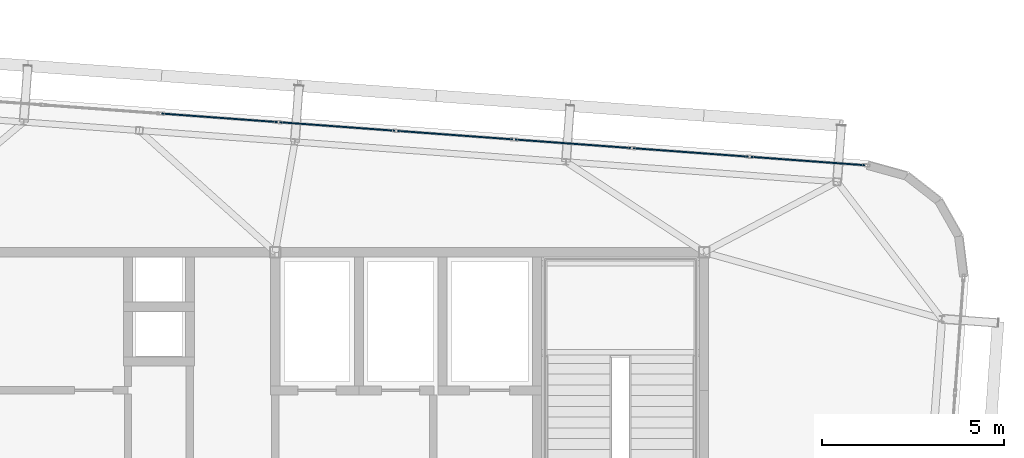
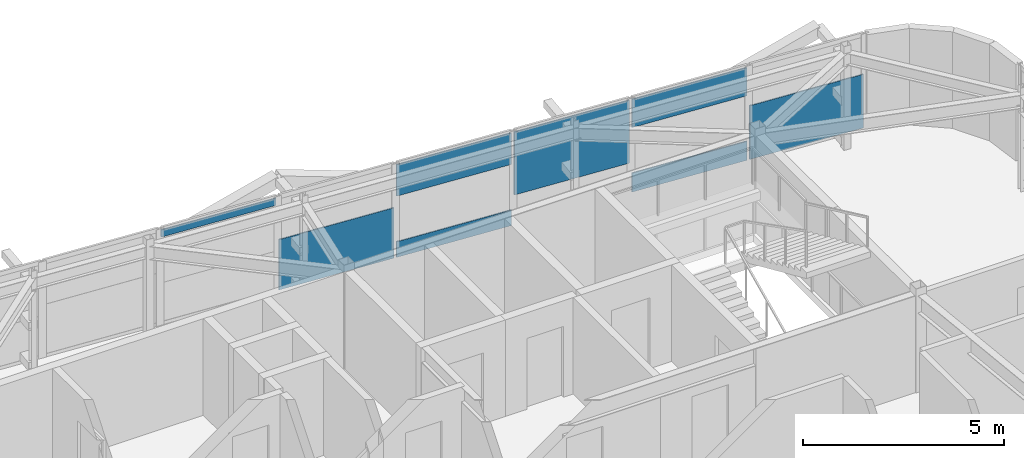
# One storey, part 30 of 42: 8 plates, 1 element without a shape of its own.
"""IFC4 building model written with IfcOpenShell, lengths in metres."""

from ifc_helpers import new_model, si_unit, direction, frame, origin, origin_2d, place, context, subcontext, project, spatial, rectangle, extrude, source, transform, mapped, material, layer, layer_set, type_object, element, aggregate, save


model = new_model("IFC4")

# Units and contexts
model_context = context("Model", 3, precision=1e-05, world=origin(), true_north=direction((0.0, 1.0)))
body_context = subcontext(model_context, "Body", "Model", "MODEL_VIEW")
ifc_project = project(units=[si_unit("LENGTHUNIT", "METRE"), si_unit("AREAUNIT", "SQUARE_METRE"), si_unit("VOLUMEUNIT", "CUBIC_METRE"), si_unit("PLANEANGLEUNIT", "RADIAN"), si_unit("MASSUNIT", "GRAM", prefix="KILO")], contexts=[model_context])

# Site, building, storey
site_placement = place(None, origin())
site = spatial("IfcSite", under=ifc_project, at=site_placement, CompositionType="ELEMENT")
building_placement = place(site_placement, origin())
building = spatial("IfcBuilding", under=site, at=building_placement, Name="Taldren Reach Tower", CompositionType="ELEMENT")
storey_placement = place(building_placement, frame((0.0, 0.0, 217.699951171875)))
storey = spatial("IfcBuildingStorey", under=building, at=storey_placement, Name="L66", CompositionType="ELEMENT", Elevation=217.699951171875)

# Curtain wall, plates
ifc_material_1 = material(Name="Aluminium and Low-E Glass Unitised System", Category="aluminium")
ifc_layer_1 = layer(ifc_material_1, 0.159912109375)
ifc_layer_set_1 = layer_set([ifc_layer_1], Name="Aluminium and Low-E Glass Unitised System")
curtain_wall_type = type_object("IfcCurtainWallType", Name="CW-SYS-6", PredefinedType="NOTDEFINED", material=ifc_layer_set_1)
curtain_wall_placement = place(storey_placement, origin())
curtain_wall = element("IfcCurtainWall", 1, at=curtain_wall_placement, inside=storey, type_object=curtain_wall_type, Name="Unitised curtain wall CW-L66-N", PredefinedType="NOTDEFINED")
ifc_material_2 = material(Name="Acoustic Triple-Laminated IGU", Category="glass")
ifc_layer_2 = layer(ifc_material_2, 0.035888671875)
ifc_layer_set_2 = layer_set([ifc_layer_2], Name="Acoustic Triple-Laminated IGU")
plate_type = type_object("IfcPlateType", Name="CW-PNL-IGU36", PredefinedType="CURTAIN_PANEL", material=ifc_layer_set_2)
shared_shape_1 = source(origin(), body_context, "Body", "SweptSolid", [
    extrude(rectangle(XDim=3.137451171875, YDim=0.035888671875, at=origin_2d()), origin(), (0.0, 0.0, 1.0), 1.63037109375),
])
plate_1_placement = place(storey_placement, frame((53.855224609375, 34.51025390625, 0.06005859375), z_axis=(0.0, 0.0, 1.0), x_axis=(-0.997314476006, 0.073238213716, 0.0)))
plate_1 = element("IfcPlate", 2, at=plate_1_placement, type_object=plate_type, Name="CW-6 panel 1.1 part 1", PredefinedType="CURTAIN_PANEL", context=body_context, shape_type="MappedRepresentation", body=[
    mapped(shared_shape_1, transform((0.0, 0.0, 0.0), scale=1.0)),
])
shared_shape_2 = source(origin(), body_context, "Body", "SweptSolid", [
    extrude(rectangle(XDim=3.175048828125, YDim=0.035888671875, at=origin_2d()), origin(), (0.0, 0.0, 1.0), 0.574462890625),
])
plate_2_placement = place(storey_placement, frame((50.632568359375, 34.746826171875, 0.06005859375), z_axis=(0.0, 0.0, 1.0), x_axis=(-0.997314476006, 0.073238213716, 0.0)))
plate_2 = element("IfcPlate", 3, at=plate_2_placement, type_object=plate_type, Name="CW-6 panel 2.1 part 1", PredefinedType="CURTAIN_PANEL", context=body_context, shape_type="MappedRepresentation", body=[
    mapped(shared_shape_2, transform((0.0, 0.0, 0.0), scale=1.0)),
])
shared_shape_3 = source(origin(), body_context, "Body", "SweptSolid", [
    extrude(rectangle(XDim=3.175048828125, YDim=0.035888671875, at=origin_2d()), origin(), (0.0, 0.0, 1.0), 0.852294921875),
])
plate_3_placement = place(storey_placement, frame((50.632568359375, 34.746826171875, 2.017578125), z_axis=(0.0, 0.0, 1.0), x_axis=(-0.997314476006, 0.073238213716, 0.0)))
plate_3 = element("IfcPlate", 4, at=plate_3_placement, type_object=plate_type, Name="CW-6 panel 2.1 part 2", PredefinedType="CURTAIN_PANEL", context=body_context, shape_type="MappedRepresentation", body=[
    mapped(shared_shape_3, transform((0.0, 0.0, 0.0), scale=1.0)),
])
shared_shape_4 = source(origin(), body_context, "Body", "SweptSolid", [
    extrude(rectangle(XDim=3.175048828125, YDim=0.035888671875, at=origin_2d()), origin(), (0.0, 0.0, 1.0), 1.907958984375),
])
plate_4_placement = place(storey_placement, frame((47.391357421875, 34.98486328125, 0.9619140625), z_axis=(0.0, 0.0, 1.0), x_axis=(-0.997314476006, 0.073238213716, 0.0)))
plate_4 = element("IfcPlate", 5, at=plate_4_placement, type_object=plate_type, Name="CW-6 panel 3.1 part 1", PredefinedType="CURTAIN_PANEL", context=body_context, shape_type="MappedRepresentation", body=[
    mapped(shared_shape_4, transform((0.0, 0.0, 0.0), scale=1.0)),
])
shared_shape_5 = source(origin(), body_context, "Body", "SweptSolid", [
    extrude(rectangle(XDim=3.175048828125, YDim=0.035888671875, at=origin_2d()), origin(), (0.0, 0.0, 1.0), 0.473876953125),
])
plate_5_placement = place(storey_placement, frame((44.150146484375, 35.222900390625, 0.06005859375), z_axis=(0.0, 0.0, 1.0), x_axis=(-0.997314476006, 0.073238213716, 0.0)))
plate_5 = element("IfcPlate", 6, at=plate_5_placement, type_object=plate_type, Name="CW-6 panel 4.1 part 1", PredefinedType="CURTAIN_PANEL", context=body_context, shape_type="MappedRepresentation", body=[
    mapped(shared_shape_5, transform((0.0, 0.0, 0.0), scale=1.0)),
])
shared_shape_6 = source(origin(), body_context, "Body", "SweptSolid", [
    extrude(rectangle(XDim=3.175048828125, YDim=0.035888671875, at=origin_2d()), origin(), (0.0, 0.0, 1.0), 0.952880859375),
])
plate_6_placement = place(storey_placement, frame((44.150146484375, 35.222900390625, 1.9169921875), z_axis=(0.0, 0.0, 1.0), x_axis=(-0.997314476006, 0.073238213716, 0.0)))
plate_6 = element("IfcPlate", 7, at=plate_6_placement, type_object=plate_type, Name="CW-6 panel 4.1 part 2", PredefinedType="CURTAIN_PANEL", context=body_context, shape_type="MappedRepresentation", body=[
    mapped(shared_shape_6, transform((0.0, 0.0, 0.0), scale=1.0)),
])
shared_shape_7 = source(origin(), body_context, "Body", "SweptSolid", [
    extrude(rectangle(XDim=3.175048828125, YDim=0.035888671875, at=origin_2d()), origin(), (0.0, 0.0, 1.0), 1.52978515625),
])
plate_7_placement = place(storey_placement, frame((40.908935546875, 35.4609375, 0.06005859375), z_axis=(0.0, 0.0, 1.0), x_axis=(-0.997314476006, 0.073238213716, 0.0)))
plate_7 = element("IfcPlate", 8, at=plate_7_placement, type_object=plate_type, Name="CW-6 panel 5.1 part 1", PredefinedType="CURTAIN_PANEL", context=body_context, shape_type="MappedRepresentation", body=[
    mapped(shared_shape_7, transform((0.0, 0.0, 0.0), scale=1.0)),
])
shared_shape_8 = source(origin(), body_context, "Body", "SweptSolid", [
    extrude(rectangle(XDim=3.175048828125, YDim=0.035888671875, at=origin_2d()), origin(), (0.0, 0.0, 1.0), 0.215576171875),
])
plate_8_placement = place(storey_placement, frame((37.66748046875, 35.698974609375, 2.654296875), z_axis=(0.0, 0.0, 1.0), x_axis=(-0.997314476006, 0.073238213716, 0.0)))
plate_8 = element("IfcPlate", 9, at=plate_8_placement, type_object=plate_type, Name="CW-6 panel 6.1 part 2", PredefinedType="CURTAIN_PANEL", context=body_context, shape_type="MappedRepresentation", body=[
    mapped(shared_shape_8, transform((0.0, 0.0, 0.0), scale=1.0)),
])
aggregate(curtain_wall, [plate_1, plate_2, plate_3, plate_4, plate_5, plate_6, plate_7, plate_8])

save(model, "model.ifc")
